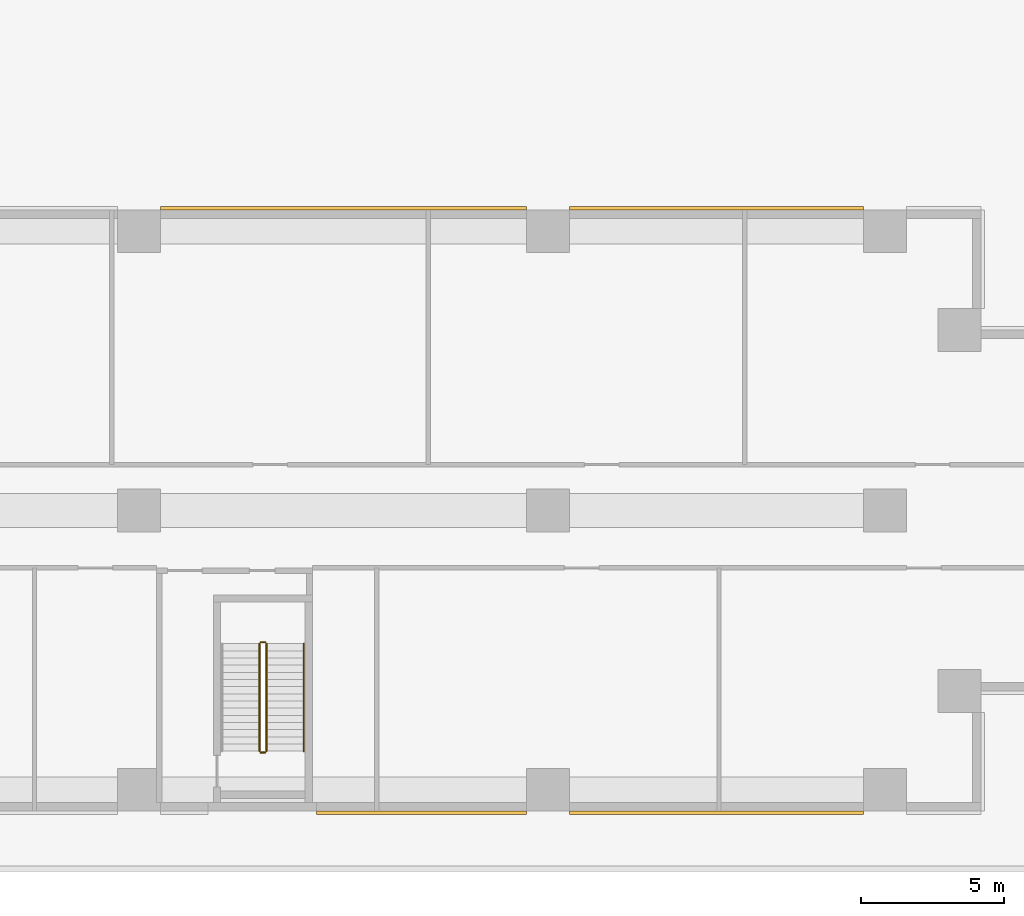
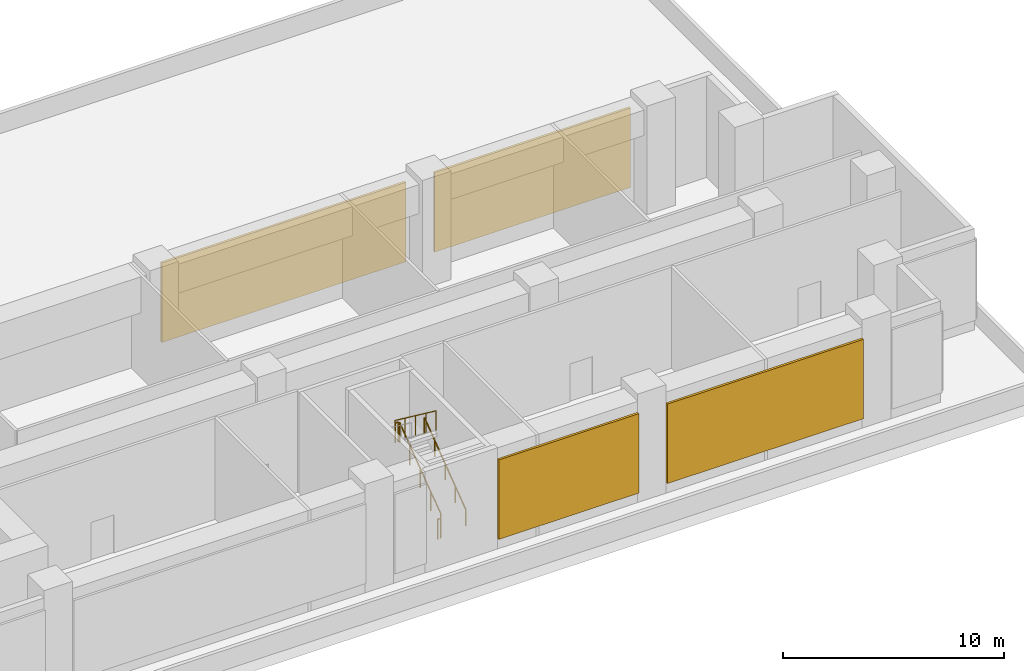
# One storey, part 9 of 11: 5 railings, 4 coverings.
"""IFC4 building model written with IfcOpenShell, lengths in metres."""

from ifc_helpers import new_model, si_unit, direction, frame, origin, origin_2d, place, context, subcontext, project, spatial, rectangle, circle, extrude, source, transform, mapped, material, type_object, element, save


model = new_model("IFC4")

# Units and contexts
model_context = context("Model", 3, precision=1e-05, world=origin(), true_north=direction((0.0, 1.0)))
body_context = subcontext(model_context, "Body", "Model", "MODEL_VIEW")
ifc_project = project(units=[si_unit("LENGTHUNIT", "METRE"), si_unit("AREAUNIT", "SQUARE_METRE"), si_unit("VOLUMEUNIT", "CUBIC_METRE"), si_unit("PLANEANGLEUNIT", "RADIAN"), si_unit("MASSUNIT", "GRAM", prefix="KILO")], contexts=[model_context])

# Site, building, storey
site_placement = place(None, origin())
site = spatial("IfcSite", under=ifc_project, at=site_placement, CompositionType="ELEMENT")
building_placement = place(site_placement, origin())
building = spatial("IfcBuilding", under=site, at=building_placement, Name="Aurelian Terraces", CompositionType="ELEMENT")
storey_placement = place(building_placement, frame((0.0, 0.0, 34.5)))
storey = spatial("IfcBuildingStorey", under=building, at=storey_placement, Name="L06", CompositionType="ELEMENT", Elevation=34.5)

# Coverings
ifc_material_1 = material(Name="Terracotta rainscreen cladding louvre blades", Category="masonry")
covering_type = type_object("IfcCoveringType", Name="LOUVRE-TC", PredefinedType="CLADDING", material=ifc_material_1)
covering_1_placement = place(storey_placement, frame((47.665, -0.06, 0.6), z_axis=(0.0, 0.0, 1.0), x_axis=(1.0, 0.0, 0.0)))
element("IfcCovering", 1, at=covering_1_placement, inside=storey, type_object=covering_type, Name="LOUVRE L06 F01", PredefinedType="CLADDING", context=body_context, shape_type="SweptSolid", body=[
    extrude(rectangle(XDim=7.33, YDim=0.12, at=origin_2d()), origin(), (0.0, 0.0, 1.0), 4.4),
])
covering_2_placement = place(storey_placement, frame((57.96, -0.06, 0.6), z_axis=(0.0, 0.0, 1.0), x_axis=(1.0, 0.0, 0.0)))
element("IfcCovering", 2, at=covering_2_placement, inside=storey, type_object=covering_type, Name="LOUVRE L06 F01", PredefinedType="CLADDING", context=body_context, shape_type="SweptSolid", body=[
    extrude(rectangle(XDim=10.26, YDim=0.12, at=origin_2d()), origin(), (0.0, 0.0, 1.0), 4.4),
])
covering_3_placement = place(storey_placement, frame((44.94, 21.06, 0.6), z_axis=(0.0, 0.0, 1.0), x_axis=(1.0, 0.0, 0.0)))
element("IfcCovering", 3, at=covering_3_placement, inside=storey, type_object=covering_type, Name="LOUVRE L06 F07", PredefinedType="CLADDING", context=body_context, shape_type="SweptSolid", body=[
    extrude(rectangle(XDim=12.78, YDim=0.12, at=origin_2d()), origin(), (0.0, 0.0, 1.0), 4.4),
])
shared_shape_1 = source(origin(), body_context, "Body", "SweptSolid", [
    extrude(rectangle(XDim=10.26, YDim=0.12, at=origin_2d()), origin(), (0.0, 0.0, 1.0), 4.4),
])
covering_4_placement = place(storey_placement, frame((57.96, 21.06, 0.6), z_axis=(0.0, 0.0, 1.0), x_axis=(1.0, 0.0, 0.0)))
element("IfcCovering", 4, at=covering_4_placement, inside=storey, type_object=covering_type, Name="LOUVRE L06 F07", PredefinedType="CLADDING", context=body_context, shape_type="MappedRepresentation", body=[
    mapped(shared_shape_1, transform((0.0, 0.0, 0.0), scale=1.0)),
])

# Railings
ifc_material_2 = material(Name="Stainless steel", Category="steel")
railing_type_1 = type_object("IfcRailingType", Name="Stair guard 1100", PredefinedType="GUARDRAIL", material=ifc_material_2)
shared_shape_2 = source(origin(), body_context, "Body", "SweptSolid", [
    extrude(circle(Radius=0.024, at=origin_2d()), frame((0.0, 0.0, 1.076), z_axis=(-1.0, 0.0, 0.0), x_axis=(0.0, -1.0, 0.0)), (0.0, 0.0, 1.0), 0.15),
    extrude(circle(Radius=0.021, at=origin_2d()), origin(), (0.0, 0.0, 1.0), 1.052),
    extrude(circle(Radius=0.021, at=origin_2d()), frame((-0.15, 0.0, 0.0)), (0.0, 0.0, 1.0), 1.052),
])
for number, where, name in (
    (5, (42.2, 5.9, 3.0), "L06 S2 stair guard 2"),
    (6, (42.2, 2.05, 0.0), "L06 S2 stair guard 4"),
):
    element("IfcRailing", number, at=place(storey_placement, frame(where)), inside=storey, type_object=railing_type_1, Name=name, PredefinedType="GUARDRAIL", context=body_context, shape_type="MappedRepresentation", body=[
        mapped(shared_shape_2, transform((0.0, 0.0, 0.0), scale=1.0)),
    ])
shared_shape_3 = source(origin(), body_context, "Body", "SweptSolid", [
    extrude(circle(Radius=0.024, at=origin_2d()), frame((0.0, 0.0, 1.076), z_axis=(0.0, 0.8, 0.6), x_axis=(-1.0, 0.0, 0.0)), (0.0, 0.0, 1.0), 4.6875),
    extrude(circle(Radius=0.021, at=origin_2d()), origin(), (0.0, 0.0, 1.0), 1.052),
    extrude(circle(Radius=0.021, at=origin_2d()), frame((0.0, 0.9375, 0.7031)), (0.0, 0.0, 1.0), 1.052),
    extrude(circle(Radius=0.021, at=origin_2d()), frame((0.0, 1.875, 1.4062)), (0.0, 0.0, 1.0), 1.052),
    extrude(circle(Radius=0.021, at=origin_2d()), frame((0.0, 2.8125, 2.1094)), (0.0, 0.0, 1.0), 1.052),
    extrude(circle(Radius=0.021, at=origin_2d()), frame((0.0, 3.75, 2.8125)), (0.0, 0.0, 1.0), 1.052),
])
railing_1_placement = place(storey_placement, frame((42.25, 2.1, 0.1875)))
element("IfcRailing", 7, at=railing_1_placement, inside=storey, type_object=railing_type_1, Name="L06 S2 stair guard 1", PredefinedType="GUARDRAIL", context=body_context, shape_type="MappedRepresentation", body=[
    mapped(shared_shape_3, transform((0.0, 0.0, 0.0), scale=1.0)),
])
shared_shape_4 = source(origin(), body_context, "Body", "SweptSolid", [
    extrude(circle(Radius=0.024, at=origin_2d()), frame((0.0, 0.0, 1.076), z_axis=(0.0, -0.8, 0.6), x_axis=(1.0, 0.0, 0.0)), (0.0, 0.0, 1.0), 4.6875),
    extrude(circle(Radius=0.021, at=origin_2d()), origin(), (0.0, 0.0, 1.0), 1.052),
    extrude(circle(Radius=0.021, at=origin_2d()), frame((0.0, -0.9375, 0.7031)), (0.0, 0.0, 1.0), 1.052),
    extrude(circle(Radius=0.021, at=origin_2d()), frame((0.0, -1.875, 1.4062)), (0.0, 0.0, 1.0), 1.052),
    extrude(circle(Radius=0.021, at=origin_2d()), frame((0.0, -2.8125, 2.1094)), (0.0, 0.0, 1.0), 1.052),
    extrude(circle(Radius=0.021, at=origin_2d()), frame((0.0, -3.75, 2.8125)), (0.0, 0.0, 1.0), 1.052),
])
railing_2_placement = place(storey_placement, frame((42.0, 5.85, 3.1875)))
element("IfcRailing", 8, at=railing_2_placement, inside=storey, type_object=railing_type_1, Name="L06 S2 stair guard 3", PredefinedType="GUARDRAIL", context=body_context, shape_type="MappedRepresentation", body=[
    mapped(shared_shape_4, transform((0.0, 0.0, 0.0), scale=1.0)),
])
railing_type_2 = type_object("IfcRailingType", Name="Stair handrail", PredefinedType="HANDRAIL", material=ifc_material_2)
shared_shape_5 = source(origin(), body_context, "Body", "SweptSolid", [
    extrude(circle(Radius=0.024, at=origin_2d()), frame((0.0, 0.0, 0.876), z_axis=(0.0, 0.8, 0.6), x_axis=(-1.0, 0.0, 0.0)), (0.0, 0.0, 1.0), 4.6875),
    extrude(circle(Radius=0.021, at=origin_2d()), origin(), (0.0, 0.0, 1.0), 0.852),
    extrude(circle(Radius=0.021, at=origin_2d()), frame((0.0, 0.9375, 0.7031)), (0.0, 0.0, 1.0), 0.852),
    extrude(circle(Radius=0.021, at=origin_2d()), frame((0.0, 1.875, 1.4062)), (0.0, 0.0, 1.0), 0.852),
    extrude(circle(Radius=0.021, at=origin_2d()), frame((0.0, 2.8125, 2.1094)), (0.0, 0.0, 1.0), 0.852),
    extrude(circle(Radius=0.021, at=origin_2d()), frame((0.0, 3.75, 2.8125)), (0.0, 0.0, 1.0), 0.852),
])
railing_3_placement = place(storey_placement, frame((43.55, 2.1, 0.1875)))
element("IfcRailing", 9, at=railing_3_placement, inside=storey, type_object=railing_type_2, Name="L06 S2 stair handrail 1", PredefinedType="HANDRAIL", context=body_context, shape_type="MappedRepresentation", body=[
    mapped(shared_shape_5, transform((0.0, 0.0, 0.0), scale=1.0)),
])

save(model, "model.ifc")
